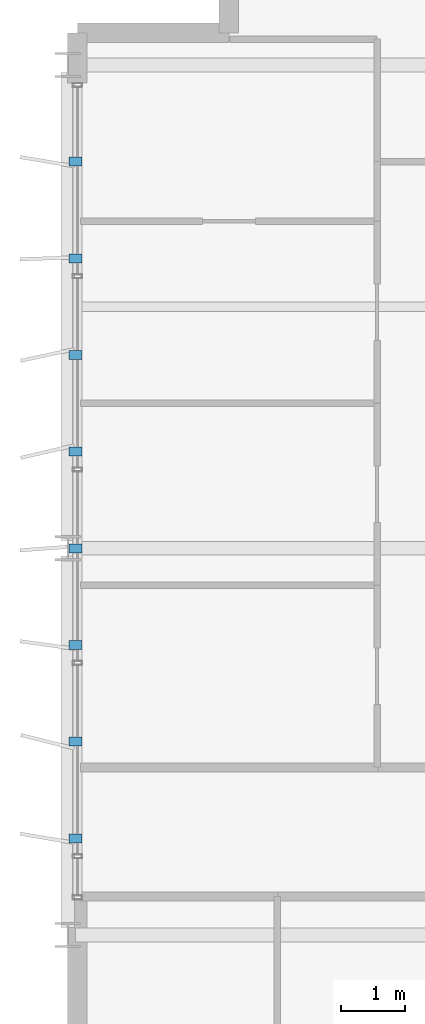
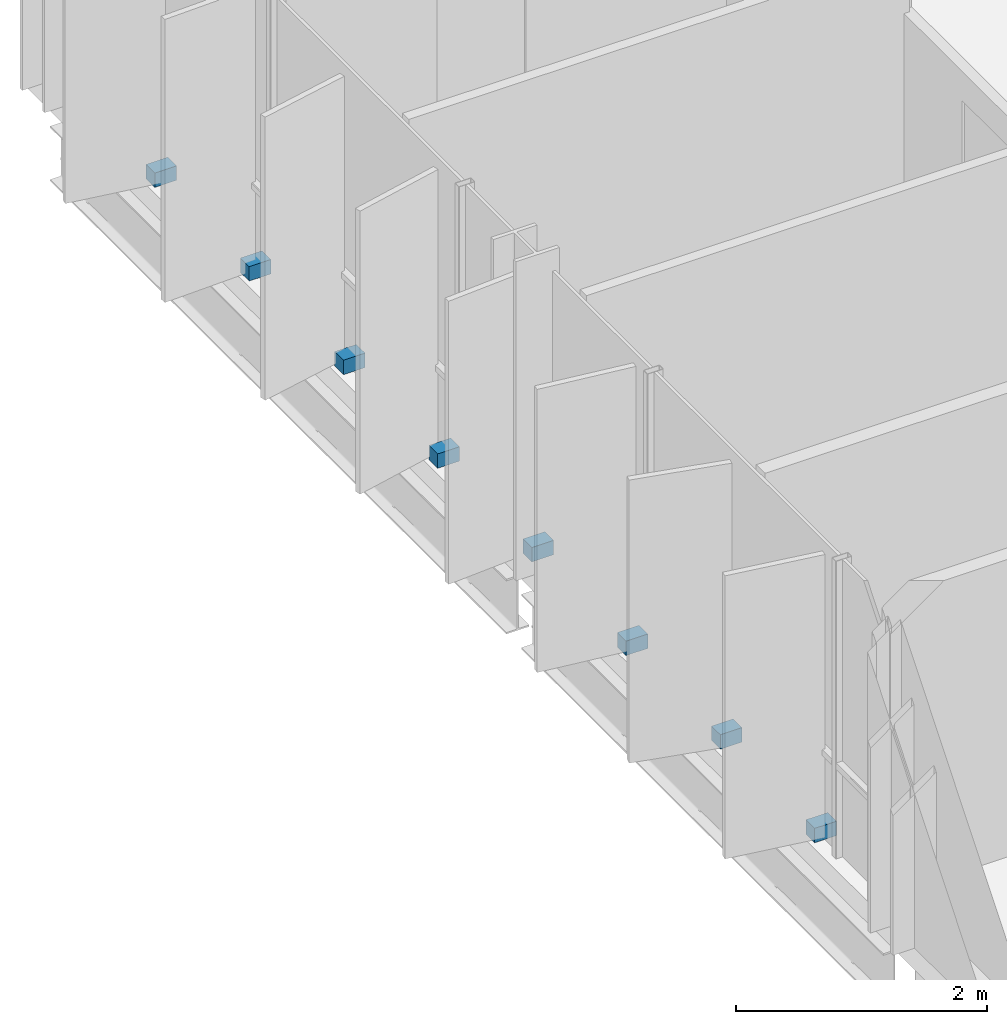
# One storey, part 33 of 38: 8 discrete accessories.
"""IFC4 building model written with IfcOpenShell, lengths in metres."""

from ifc_helpers import new_model, si_unit, direction, frame, origin, origin_2d, place, context, subcontext, project, spatial, rectangle, extrude, material, type_object, element, save


model = new_model("IFC4")

# Units and contexts
model_context = context("Model", 3, precision=1e-05, world=origin(), true_north=direction((0.0, 1.0)))
body_context = subcontext(model_context, "Body", "Model", "MODEL_VIEW")
ifc_project = project(units=[si_unit("LENGTHUNIT", "METRE"), si_unit("AREAUNIT", "SQUARE_METRE"), si_unit("VOLUMEUNIT", "CUBIC_METRE"), si_unit("PLANEANGLEUNIT", "RADIAN"), si_unit("MASSUNIT", "GRAM", prefix="KILO")], contexts=[model_context])

# Site, building, storey
site_placement = place(None, origin())
site = spatial("IfcSite", under=ifc_project, at=site_placement, CompositionType="ELEMENT")
building_placement = place(site_placement, origin())
building = spatial("IfcBuilding", under=site, at=building_placement, Name="Brevholm Reach", CompositionType="ELEMENT")
storey_placement = place(building_placement, frame((0.0, 0.0, 186.300048828125)))
storey = spatial("IfcBuildingStorey", under=building, at=storey_placement, Name="L56", CompositionType="ELEMENT", Elevation=186.300048828125)

# Discrete accessories
ifc_material = material(Name="Duplex Stainless Steel EN 1.4462", Category="steel")
discrete_accessory_type = type_object("IfcDiscreteAccessoryType", Name="ACC-BRK-01", PredefinedType="BRACKET", material=ifc_material)
for number, where, z_axis, x_axis, name in (
    (1, (0.1201171875, 11.5, 0.02978515625), (0.0, 0.0, 1.0), (-1.0, 0.0, 0.0), "L56 Solar Screen Support Bracket 1"),
    (2, (0.1201171875, 13.0, 0.02978515625), (0.0, 0.0, 1.0), (-1.0, 0.0, 0.0), "L56 Solar Screen Support Bracket 2"),
    (3, (0.1201171875, 14.5, 0.02978515625), (0.0, 0.0, 1.0), (-1.0, 0.0, 0.0), "L56 Solar Screen Support Bracket 3"),
    (4, (0.1201171875, 16.0, 0.02978515625), (0.0, 0.0, 1.0), (-1.0, 0.0, 0.0), "L56 Solar Screen Support Bracket 4"),
    (5, (0.1201171875, 17.5, 0.02978515625), (0.0, 0.0, 1.0), (-1.0, 0.0, 0.0), "L56 Solar Screen Support Bracket 5"),
    (6, (0.1201171875, 19.0, 0.02978515625), (0.0, 0.0, 1.0), (-1.0, 0.0, 0.0), "L56 Solar Screen Support Bracket 6"),
    (7, (0.1201171875, 20.5, 0.02978515625), (0.0, 0.0, 1.0), (-1.0, 0.0, 0.0), "L56 Solar Screen Support Bracket 7"),
    (8, (0.1201171875, 22.0, 0.02978515625), (0.0, 0.0, 1.0), (-1.0, 0.0, 0.0), "L56 Solar Screen Support Bracket 8"),
):
    element("IfcDiscreteAccessory", number, at=place(storey_placement, frame(where, z_axis=z_axis, x_axis=x_axis)), inside=storey, type_object=discrete_accessory_type, Name=name, PredefinedType="BRACKET", context=body_context, shape_type="SweptSolid", body=[
        extrude(rectangle(XDim=0.199951171875, YDim=0.139892578125, at=origin_2d()), origin(), (0.0, 0.0, 1.0), 0.139892578125),
    ])

save(model, "model.ifc")
